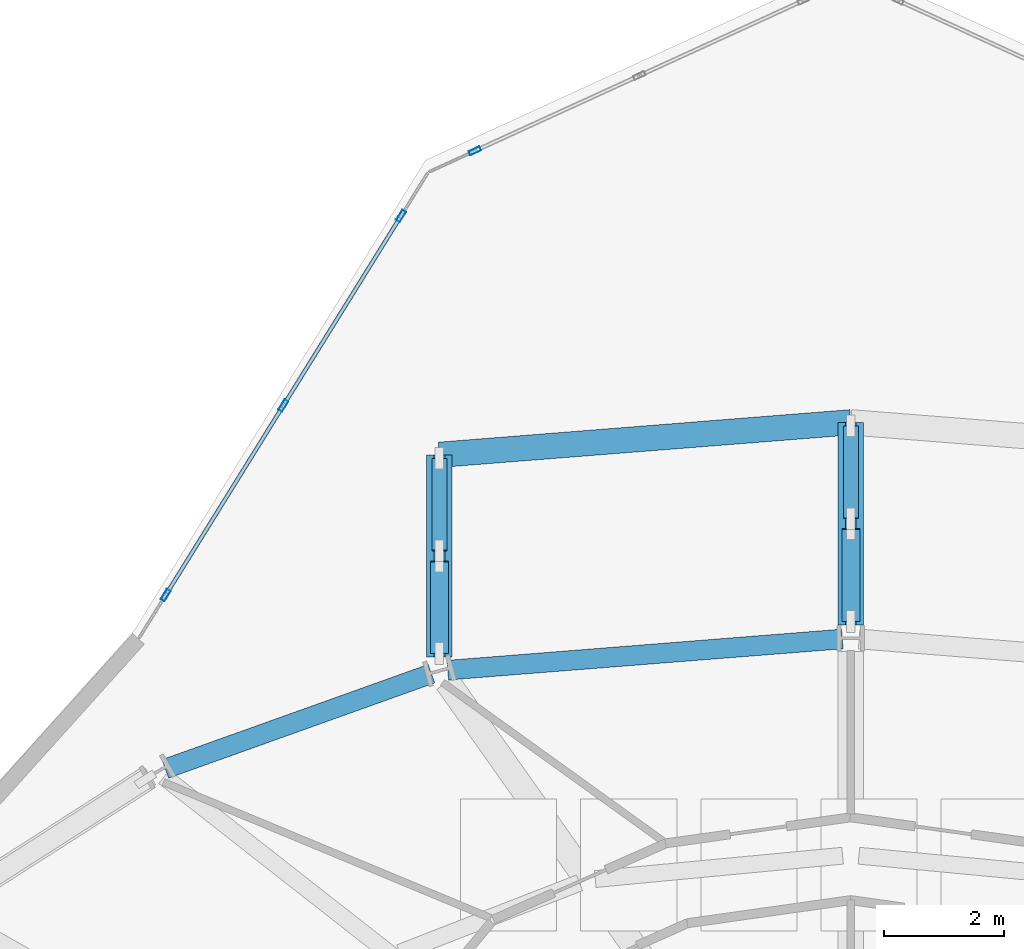
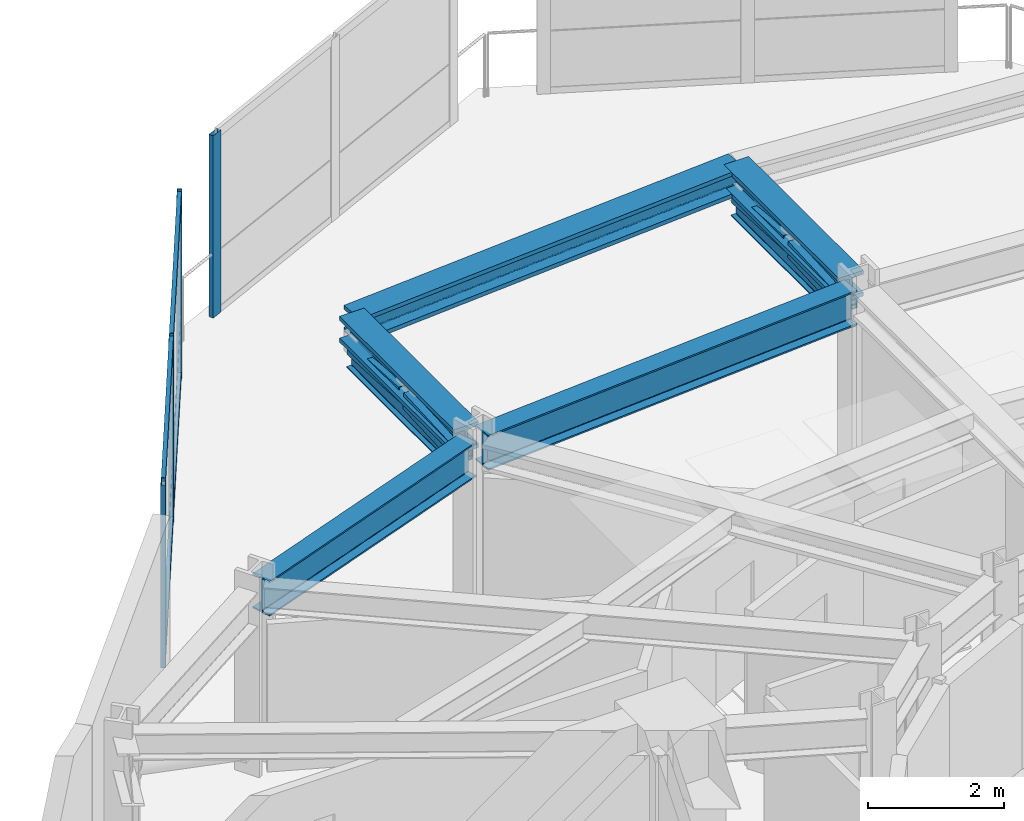
# One storey, part 13 of 24: 12 members, 7 beams, 2 elements without a shape of their own.
"""IFC4 building model written with IfcOpenShell, lengths in metres."""

from ifc_helpers import new_model, si_unit, direction, frame, origin, origin_2d, place, context, subcontext, project, spatial, hollow_rectangle, i_section, extrude, material, layer, layer_set, material_profile, profile_set, type_object, element, aggregate, save


model = new_model("IFC4")

# Units and contexts
model_context = context("Model", 3, precision=1e-05, world=origin(), true_north=direction((0.0, 1.0)))
body_context = subcontext(model_context, "Body", "Model", "MODEL_VIEW")
ifc_project = project(units=[si_unit("LENGTHUNIT", "METRE"), si_unit("AREAUNIT", "SQUARE_METRE"), si_unit("VOLUMEUNIT", "CUBIC_METRE"), si_unit("PLANEANGLEUNIT", "RADIAN"), si_unit("MASSUNIT", "GRAM", prefix="KILO")], contexts=[model_context])

# Site, building, storey
site_placement = place(None, origin())
site = spatial("IfcSite", under=ifc_project, at=site_placement, CompositionType="ELEMENT")
building_placement = place(site_placement, origin())
building = spatial("IfcBuilding", under=site, at=building_placement, Name="Solvane Sanctuary Tower", CompositionType="ELEMENT")
storey_placement = place(building_placement, frame((0.0, 0.0, 246.0)))
storey = spatial("IfcBuildingStorey", under=building, at=storey_placement, Name="L75", CompositionType="ELEMENT", Elevation=246.0)

# Beams
ifc_material_1 = material(Name="Steel ASTM A913 Grade 65", Category="steel")
ifc_material_profile_1 = material_profile(ifc_material_1, i_section(OverallWidth=0.422119140625, OverallDepth=0.465087890625, WebThickness=0.044921875, FlangeThickness=0.072509765625, FilletRadius=0.02490234375, at=origin_2d()), Name="W14X398")
ifc_profile_set_1 = profile_set([ifc_material_profile_1], Name="Steel ASTM A913 Grade 65")
beam_type_1 = type_object("IfcBeamType", Name="Beam B-CANT-CH W14X398", PredefinedType="BEAM", material=ifc_profile_set_1)
beam_1_placement = place(storey_placement, frame((25.143798828125, 38.36669921875, 3.08544921875), z_axis=(0.0, 1.0, 0.0), x_axis=(-1.0, 0.0, 0.0)))
element("IfcBeam", 1, at=beam_1_placement, inside=storey, type_object=beam_type_1, Name="L75 Sky-Dining Truss Top Chord C05", PredefinedType="BEAM", context=body_context, shape_type="SweptSolid", body=[
    extrude(i_section(OverallWidth=0.422119140625, OverallDepth=0.465087890625, WebThickness=0.044921875, FlangeThickness=0.072509765625, FilletRadius=0.02490234375, at=origin_2d()), origin(), (0.0, 0.0, 1.0), 3.37158203125),
])
beam_2_placement = place(storey_placement, frame((32.0, 38.90087890625, 3.08544921875), z_axis=(0.0, 1.0, 0.0), x_axis=(-1.0, 0.0, 0.0)))
element("IfcBeam", 2, at=beam_2_placement, inside=storey, type_object=beam_type_1, Name="L75 Sky-Dining Truss Top Chord C04", PredefinedType="BEAM", context=body_context, shape_type="SweptSolid", body=[
    extrude(i_section(OverallWidth=0.422119140625, OverallDepth=0.465087890625, WebThickness=0.044921875, FlangeThickness=0.072509765625, FilletRadius=0.02490234375, at=origin_2d()), origin(), (0.0, 0.0, 1.0), 3.379150390625),
])
beam_3_placement = place(storey_placement, frame((25.143798828125, 41.73828125, 3.08544921875), z_axis=(0.996892795984, 0.078770256536, 0.0), x_axis=(-0.078770256536, 0.996892795984, 0.0)))
element("IfcBeam", 3, at=beam_3_placement, inside=storey, type_object=beam_type_1, Name="L75 Sky-Dining Transverse Tie Beam 1", PredefinedType="BEAM", context=body_context, shape_type="SweptSolid", body=[
    extrude(i_section(OverallWidth=0.422119140625, OverallDepth=0.465087890625, WebThickness=0.044921875, FlangeThickness=0.072509765625, FilletRadius=0.02490234375, at=origin_2d()), origin(), (0.0, 0.0, 1.0), 6.877685546875),
])
ifc_material_2 = material(Name="Steel ASTM A992 Grade 50", Category="steel")
ifc_material_profile_2 = material_profile(ifc_material_2, i_section(OverallWidth=0.180908203125, OverallDepth=0.4169921875, WebThickness=0.010986328125, FlangeThickness=0.018310546875, FilletRadius=0.012939453125, at=origin_2d()), Name="W16X57")
ifc_profile_set_2 = profile_set([ifc_material_profile_2], Name="Steel ASTM A992 Grade 50")
beam_type_2 = type_object("IfcBeamType", Name="Beam B-ROOF-BM W16X57", PredefinedType="BEAM", material=ifc_profile_set_2)
beam_4_placement = place(storey_placement, frame((25.143798828125, 38.36669921875, 2.56005859375), z_axis=(0.0, 1.0, 0.0), x_axis=(-1.0, 0.0, 0.0)))
element("IfcBeam", 4, at=beam_4_placement, inside=storey, type_object=beam_type_2, Name="L75 Sky-Dining Truss Bottom Chord C05", PredefinedType="BEAM", context=body_context, shape_type="SweptSolid", body=[
    extrude(i_section(OverallWidth=0.180908203125, OverallDepth=0.4169921875, WebThickness=0.010986328125, FlangeThickness=0.018310546875, FilletRadius=0.012939453125, at=origin_2d()), origin(), (0.0, 0.0, 1.0), 3.37158203125),
])
beam_5_placement = place(storey_placement, frame((32.0, 38.90087890625, 2.56005859375), z_axis=(0.0, 1.0, 0.0), x_axis=(-1.0, 0.0, 0.0)))
element("IfcBeam", 5, at=beam_5_placement, inside=storey, type_object=beam_type_2, Name="L75 Sky-Dining Truss Bottom Chord C04", PredefinedType="BEAM", context=body_context, shape_type="SweptSolid", body=[
    extrude(i_section(OverallWidth=0.180908203125, OverallDepth=0.4169921875, WebThickness=0.010986328125, FlangeThickness=0.018310546875, FilletRadius=0.012939453125, at=origin_2d()), origin(), (0.0, 0.0, 1.0), 3.379150390625),
])
ifc_material_profile_3 = material_profile(ifc_material_2, i_section(OverallWidth=0.327880859375, OverallDepth=0.6279296875, WebThickness=0.0166015625, FlangeThickness=0.027587890625, FilletRadius=0.01611328125, at=origin_2d()), Name="W24X146")
ifc_profile_set_3 = profile_set([ifc_material_profile_3], Name="Steel ASTM A992 Grade 50")
beam_type_3 = type_object("IfcBeamType", Name="Beam B-SPAND-Z3 W24X146", PredefinedType="SPANDREL", material=ifc_profile_set_3)
beam_6_placement = place(storey_placement, frame((20.57666015625, 36.50439453125, 3.00390625), z_axis=(0.941570600413, 0.336815683184, 0.0), x_axis=(-0.336815683184, 0.941570600413, 0.0)))
element("IfcBeam", 6, at=beam_6_placement, inside=storey, type_object=beam_type_3, Name="L75 Perimeter Spandrel Beam TC06-TC05", PredefinedType="SPANDREL", context=body_context, shape_type="SweptSolid", body=[
    extrude(i_section(OverallWidth=0.327880859375, OverallDepth=0.6279296875, WebThickness=0.0166015625, FlangeThickness=0.027587890625, FilletRadius=0.01611328125, at=origin_2d()), origin(), (0.0, 0.0, 1.0), 4.710693359375),
])
beam_7_placement = place(storey_placement, frame((25.283447265625, 38.1494140625, 3.00390625), z_axis=(0.996894556567, 0.078747971951, 0.0), x_axis=(-0.078747971951, 0.996894556567, 0.0)))
element("IfcBeam", 7, at=beam_7_placement, inside=storey, type_object=beam_type_3, Name="L75 Perimeter Spandrel Beam TC05-TC04", PredefinedType="SPANDREL", context=body_context, shape_type="SweptSolid", body=[
    extrude(i_section(OverallWidth=0.327880859375, OverallDepth=0.6279296875, WebThickness=0.0166015625, FlangeThickness=0.027587890625, FilletRadius=0.01611328125, at=origin_2d()), origin(), (0.0, 0.0, 1.0), 6.597412109375),
])

# Members
ifc_material_profile_4 = material_profile(ifc_material_1, hollow_rectangle(XDim=0.300048828125, YDim=0.300048828125, WallThickness=0.012451171875, at=origin_2d()), Name="HSS300X300X12.5")
ifc_profile_set_4 = profile_set([ifc_material_profile_4], Name="Steel ASTM A913 Grade 65")
member_type_1 = type_object("IfcMemberType", Name="Member M-CANT-DIAG HSS300X300X12.5", PredefinedType="STRUT", material=ifc_profile_set_4)
member_1_placement = place(storey_placement, frame((25.143798828125, 38.431640625, 2.768798828125), z_axis=(0.0, 0.998634932523, 0.052232858853), x_axis=(-1.0, 0.0, 0.0)))
element("IfcMember", 8, at=member_1_placement, inside=storey, type_object=member_type_1, Name="L75 Sky-Dining Truss Diagonal C05-P1", PredefinedType="STRUT", context=body_context, shape_type="SweptSolid", body=[
    extrude(hollow_rectangle(XDim=0.300048828125, YDim=0.300048828125, WallThickness=0.012451171875, at=origin_2d()), origin(), (0.0, 0.0, 1.0), 1.533203125),
])
member_2_placement = place(storey_placement, frame((32.0, 38.966064453125, 2.768798828125), z_axis=(0.0, 0.998640994819, 0.052116825187), x_axis=(-1.0, 0.0, 0.0)))
element("IfcMember", 9, at=member_2_placement, inside=storey, type_object=member_type_1, Name="L75 Sky-Dining Truss Diagonal C04-P1", PredefinedType="STRUT", context=body_context, shape_type="SweptSolid", body=[
    extrude(hollow_rectangle(XDim=0.300048828125, YDim=0.300048828125, WallThickness=0.012451171875, at=origin_2d()), origin(), (0.0, 0.0, 1.0), 1.53662109375),
])
ifc_material_profile_5 = material_profile(ifc_material_1, hollow_rectangle(XDim=0.25, YDim=0.25, WallThickness=0.012451171875, at=origin_2d()), Name="HSS250X250X12.5")
ifc_profile_set_5 = profile_set([ifc_material_profile_5], Name="Steel ASTM A913 Grade 65")
member_type_2 = type_object("IfcMemberType", Name="Member M-CANT-POST HSS250X250X12.5", PredefinedType="POST", material=ifc_profile_set_5)
member_3_placement = place(storey_placement, frame((25.143798828125, 40.142333984375, 2.848876953125), z_axis=(0.0, 0.998634932523, -0.052232858853), x_axis=(-1.0, 0.0, 0.0)))
element("IfcMember", 10, at=member_3_placement, inside=storey, type_object=member_type_2, Name="L75 Sky-Dining Truss Web Post C05-P1", PredefinedType="POST", context=body_context, shape_type="SweptSolid", body=[
    extrude(hollow_rectangle(XDim=0.25, YDim=0.25, WallThickness=0.012451171875, at=origin_2d()), origin(), (0.0, 0.0, 1.0), 1.533203125),
])
member_4_placement = place(storey_placement, frame((32.0, 40.680419921875, 2.848876953125), z_axis=(0.0, 0.998641426295, -0.052108556765), x_axis=(-1.0, 0.0, 0.0)))
element("IfcMember", 11, at=member_4_placement, inside=storey, type_object=member_type_2, Name="L75 Sky-Dining Truss Web Post C04-P1", PredefinedType="POST", context=body_context, shape_type="SweptSolid", body=[
    extrude(hollow_rectangle(XDim=0.25, YDim=0.25, WallThickness=0.012451171875, at=origin_2d()), origin(), (0.0, 0.0, 1.0), 1.536865234375),
])

# Curtain wall, member
ifc_material_3 = material(Name="Anodised Aluminium 6063-T6", Category="aluminium")
ifc_layer = layer(ifc_material_3, 0.18994140625, Name="Anodised Aluminium 6063-T6")
ifc_layer_set = layer_set([ifc_layer], Name="Anodised Aluminium 6063-T6")
curtain_wall_type = type_object("IfcCurtainWallType", Name="Curtain Wall CW-OPER", PredefinedType="NOTDEFINED", material=ifc_layer_set)
curtain_wall_1_placement = place(storey_placement, origin())
curtain_wall_1 = element("IfcCurtainWall", 12, at=curtain_wall_1_placement, inside=storey, type_object=curtain_wall_type, Name="L75 CW-OPER Facade Run 06", PredefinedType="NOTDEFINED")
ifc_material_profile_6 = material_profile(ifc_material_3, hollow_rectangle(XDim=0.074951171875, YDim=0.199951171875, WallThickness=0.00390625, at=origin_2d()), Name="ALU200X75X4")
ifc_profile_set_6 = profile_set([ifc_material_profile_6], Name="Anodised Aluminium 6063-T6")
member_type_3 = type_object("IfcMemberType", Name="Member M-CW-MUL-1 ALU200X75X4", PredefinedType="MULLION", material=ifc_profile_set_6)
member_5_placement = place(storey_placement, frame((25.73681640625, 46.80322265625, 0.0), z_axis=(0.0, 0.0, 1.0), x_axis=(0.416224941032, -0.909261677661, 0.0)))
member_5 = element("IfcMember", 13, at=member_5_placement, type_object=member_type_3, Name="CW-OPER mullion 3", PredefinedType="MULLION", context=body_context, shape_type="SweptSolid", body=[
    extrude(hollow_rectangle(XDim=0.074951171875, YDim=0.199951171875, WallThickness=0.00390625, at=origin_2d()), origin(), (0.0, 0.0, 1.0), 3.280029296875),
])
aggregate(curtain_wall_1, [member_5])

# Curtain wall, members
curtain_wall_2_placement = place(storey_placement, origin())
curtain_wall_2 = element("IfcCurtainWall", 14, at=curtain_wall_2_placement, inside=storey, type_object=curtain_wall_type, Name="L75 CW-OPER Facade Run 07", PredefinedType="NOTDEFINED")
member_6_placement = place(storey_placement, frame((24.504638671875, 45.7177734375, 0.0), z_axis=(0.0, 0.0, 1.0), x_axis=(0.849622273102, -0.527391688453, 0.0)))
member_6 = element("IfcMember", 15, at=member_6_placement, type_object=member_type_3, Name="CW-OPER mullion 1", PredefinedType="MULLION", context=body_context, shape_type="SweptSolid", body=[
    extrude(hollow_rectangle(XDim=0.074951171875, YDim=0.199951171875, WallThickness=0.00390625, at=origin_2d()), origin(), (0.0, 0.0, 1.0), 3.280029296875),
])
member_7_placement = place(storey_placement, frame((22.54345703125, 42.558349609375, 0.0), z_axis=(0.0, 0.0, 1.0), x_axis=(0.849622273102, -0.527391688453, 0.0)))
member_7 = element("IfcMember", 16, at=member_7_placement, type_object=member_type_3, Name="CW-OPER mullion 2", PredefinedType="MULLION", context=body_context, shape_type="SweptSolid", body=[
    extrude(hollow_rectangle(XDim=0.074951171875, YDim=0.199951171875, WallThickness=0.00390625, at=origin_2d()), origin(), (0.0, 0.0, 1.0), 3.280029296875),
])
member_8_placement = place(storey_placement, frame((20.582275390625, 39.398681640625, 0.0), z_axis=(0.0, 0.0, 1.0), x_axis=(0.849622273102, -0.527391688453, 0.0)))
member_8 = element("IfcMember", 17, at=member_8_placement, type_object=member_type_3, Name="CW-OPER mullion 3", PredefinedType="MULLION", context=body_context, shape_type="SweptSolid", body=[
    extrude(hollow_rectangle(XDim=0.074951171875, YDim=0.199951171875, WallThickness=0.00390625, at=origin_2d()), origin(), (0.0, 0.0, 1.0), 3.280029296875),
])
ifc_material_profile_7 = material_profile(ifc_material_3, hollow_rectangle(XDim=0.06494140625, YDim=0.159912109375, WallThickness=0.00341796875, at=origin_2d()), Name="ALU160X65X3.5")
ifc_profile_set_7 = profile_set([ifc_material_profile_7], Name="Anodised Aluminium 6063-T6")
member_type_4 = type_object("IfcMemberType", Name="Member M-CW-TRN-1 ALU160X65X3.5", PredefinedType="USERDEFINED", material=ifc_profile_set_7)
member_9_placement = place(storey_placement, frame((24.48486328125, 45.68603515625, 0.032470703125), z_axis=(-0.527364529612, -0.849639130989, 0.0), x_axis=(0.849639130989, -0.527364529612, 0.0)))
member_9 = element("IfcMember", 18, at=member_9_placement, type_object=member_type_4, Name="CW-OPER transom 1.1", ObjectType="TRANSOM", PredefinedType="USERDEFINED", context=body_context, shape_type="SweptSolid", body=[
    extrude(hollow_rectangle(XDim=0.06494140625, YDim=0.159912109375, WallThickness=0.00341796875, at=origin_2d()), origin(), (0.0, 0.0, 1.0), 3.643798828125),
])
member_10_placement = place(storey_placement, frame((24.48486328125, 45.68603515625, 3.24755859375), z_axis=(-0.527364529612, -0.849639130989, 0.0), x_axis=(0.849639130989, -0.527364529612, 0.0)))
member_10 = element("IfcMember", 19, at=member_10_placement, type_object=member_type_4, Name="CW-OPER transom 1.2", ObjectType="TRANSOM", PredefinedType="USERDEFINED", context=body_context, shape_type="SweptSolid", body=[
    extrude(hollow_rectangle(XDim=0.06494140625, YDim=0.159912109375, WallThickness=0.00341796875, at=origin_2d()), origin(), (0.0, 0.0, 1.0), 3.643798828125),
])
member_11_placement = place(storey_placement, frame((22.523681640625, 42.5263671875, 0.032470703125), z_axis=(-0.527364529612, -0.849639130989, 0.0), x_axis=(0.849639130989, -0.527364529612, 0.0)))
member_11 = element("IfcMember", 20, at=member_11_placement, type_object=member_type_4, Name="CW-OPER transom 2.1", ObjectType="TRANSOM", PredefinedType="USERDEFINED", context=body_context, shape_type="SweptSolid", body=[
    extrude(hollow_rectangle(XDim=0.06494140625, YDim=0.159912109375, WallThickness=0.00341796875, at=origin_2d()), origin(), (0.0, 0.0, 1.0), 3.643798828125),
])
member_12_placement = place(storey_placement, frame((22.523681640625, 42.5263671875, 3.24755859375), z_axis=(-0.527364529612, -0.849639130989, 0.0), x_axis=(0.849639130989, -0.527364529612, 0.0)))
member_12 = element("IfcMember", 21, at=member_12_placement, type_object=member_type_4, Name="CW-OPER transom 2.2", ObjectType="TRANSOM", PredefinedType="USERDEFINED", context=body_context, shape_type="SweptSolid", body=[
    extrude(hollow_rectangle(XDim=0.06494140625, YDim=0.159912109375, WallThickness=0.00341796875, at=origin_2d()), origin(), (0.0, 0.0, 1.0), 3.643798828125),
])
aggregate(curtain_wall_2, [member_6, member_7, member_8, member_9, member_10, member_11, member_12])

save(model, "model.ifc")
